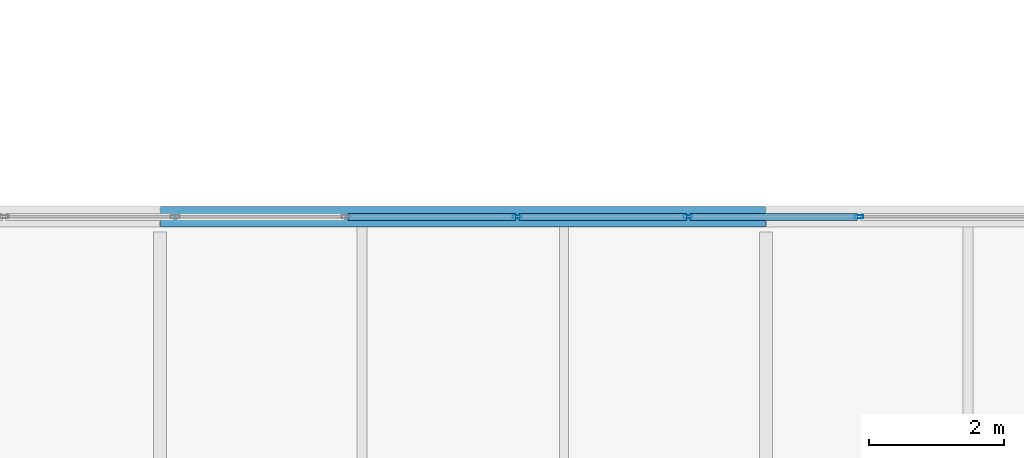
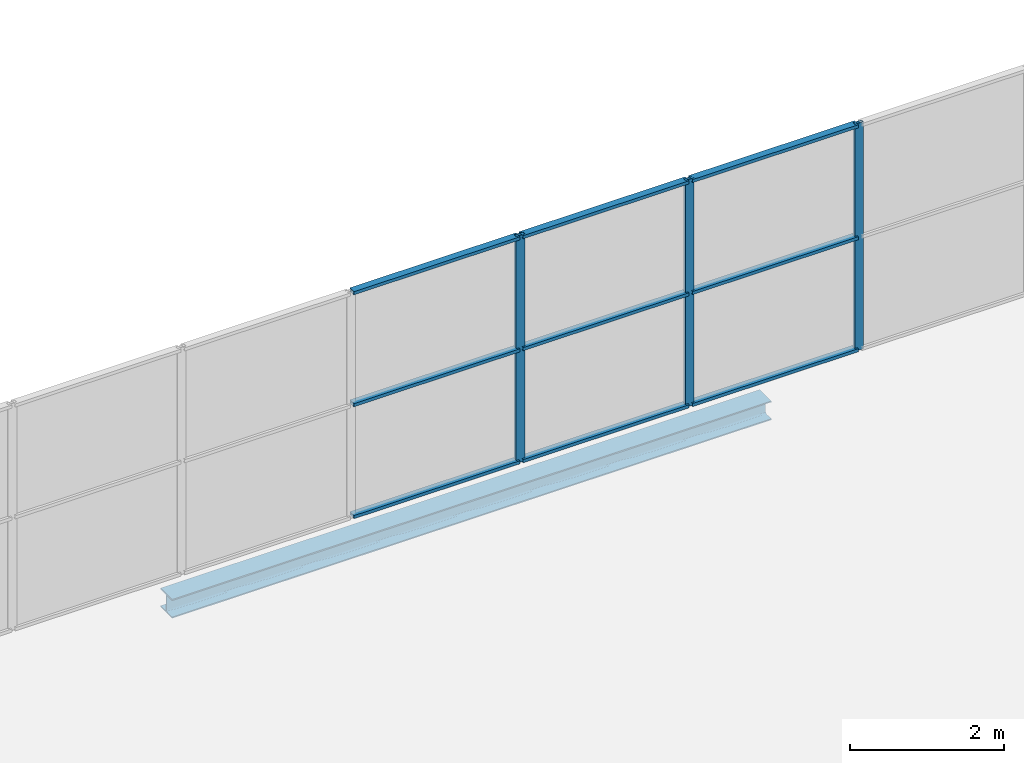
# One storey, part 46 of 59: 12 members, 1 beam, 1 element without a shape of its own.
"""IFC4 building model written with IfcOpenShell, lengths in metres."""

from ifc_helpers import new_model, si_unit, direction, frame, origin, origin_2d, place, context, subcontext, project, spatial, hollow_rectangle, i_section, extrude, material, layer, layer_set, material_profile, profile_set, type_object, element, aggregate, save


model = new_model("IFC4")

# Units and contexts
model_context = context("Model", 3, precision=1e-05, world=origin(), true_north=direction((0.0, 1.0)))
body_context = subcontext(model_context, "Body", "Model", "MODEL_VIEW")
ifc_project = project(units=[si_unit("LENGTHUNIT", "METRE"), si_unit("AREAUNIT", "SQUARE_METRE"), si_unit("VOLUMEUNIT", "CUBIC_METRE"), si_unit("PLANEANGLEUNIT", "RADIAN"), si_unit("MASSUNIT", "GRAM", prefix="KILO")], contexts=[model_context])

# Site, building, storey
site_placement = place(None, origin())
site = spatial("IfcSite", under=ifc_project, at=site_placement, CompositionType="ELEMENT")
building_placement = place(site_placement, origin())
building = spatial("IfcBuilding", under=site, at=building_placement, Name="Deido Ridge Mobility Hub", CompositionType="ELEMENT")
storey_placement = place(building_placement, frame((0.0, 0.0, 21.0)))
storey = spatial("IfcBuildingStorey", under=building, at=storey_placement, Name="L05", CompositionType="ELEMENT", Elevation=21.0)

# Curtain wall, members
ifc_material_1 = material(Name="Anodised aluminium EN AW-6063 T6", Category="aluminium")
ifc_layer = layer(ifc_material_1, 0.14404296875, Name="Anodised aluminium EN AW-6063 T6")
ifc_layer_set = layer_set([ifc_layer], Name="Anodised aluminium EN AW-6063 T6")
curtain_wall_type = type_object("IfcCurtainWallType", Name="CW-GS-2", PredefinedType="USERDEFINED", material=ifc_layer_set)
curtain_wall_placement = place(storey_placement, origin())
curtain_wall = element("IfcCurtainWall", 1, at=curtain_wall_placement, inside=storey, type_object=curtain_wall_type, Name="Unitised curtain wall GS2", ObjectType="GLAZED SCREEN", PredefinedType="USERDEFINED")
ifc_material_profile_1 = material_profile(ifc_material_1, hollow_rectangle(XDim=0.050048828125, YDim=0.1298828125, WallThickness=0.00390625, at=origin_2d()), Name="RHS 50x130x4")
ifc_profile_set_1 = profile_set([ifc_material_profile_1], Name="Anodised aluminium EN AW-6063 T6")
member_type_1 = type_object("IfcMemberType", Name="MEM-MUL-50X130", PredefinedType="MULLION", material=ifc_profile_set_1)
member_1_placement = place(storey_placement, frame((167.303466796875, 63.0, 0.0), z_axis=(0.0, 0.0, 1.0), x_axis=(0.0, 1.0, 0.0)))
member_1 = element("IfcMember", 2, at=member_1_placement, type_object=member_type_1, Name="GS2 mullion 10", PredefinedType="MULLION", context=body_context, shape_type="SweptSolid", body=[
    extrude(hollow_rectangle(XDim=0.050048828125, YDim=0.1298828125, WallThickness=0.00390625, at=origin_2d()), origin(), (0.0, 0.0, 1.0), 3.60009765625),
])
member_2_placement = place(storey_placement, frame((169.8427734375, 63.0, 0.0), z_axis=(0.0, 0.0, 1.0), x_axis=(0.0, 1.0, 0.0)))
member_2 = element("IfcMember", 3, at=member_2_placement, type_object=member_type_1, Name="GS2 mullion 11", PredefinedType="MULLION", context=body_context, shape_type="SweptSolid", body=[
    extrude(hollow_rectangle(XDim=0.050048828125, YDim=0.1298828125, WallThickness=0.00390625, at=origin_2d()), origin(), (0.0, 0.0, 1.0), 3.60009765625),
])
member_3_placement = place(storey_placement, frame((172.382080078125, 63.0, 0.0), z_axis=(0.0, 0.0, 1.0), x_axis=(0.0, 1.0, 0.0)))
member_3 = element("IfcMember", 4, at=member_3_placement, type_object=member_type_1, Name="GS2 mullion 12", PredefinedType="MULLION", context=body_context, shape_type="SweptSolid", body=[
    extrude(hollow_rectangle(XDim=0.050048828125, YDim=0.1298828125, WallThickness=0.00390625, at=origin_2d()), origin(), (0.0, 0.0, 1.0), 3.60009765625),
])
ifc_material_profile_2 = material_profile(ifc_material_1, hollow_rectangle(XDim=0.10498046875, YDim=0.050048828125, WallThickness=0.00390625, at=origin_2d()), Name="RHS 105x50x4")
ifc_profile_set_2 = profile_set([ifc_material_profile_2], Name="Anodised aluminium EN AW-6063 T6")
member_type_2 = type_object("IfcMemberType", Name="MEM-TRN-105X50", PredefinedType="USERDEFINED", material=ifc_profile_set_2)
member_4_placement = place(storey_placement, frame((164.789306640625, 63.0, 0.02490234375), z_axis=(1.0, 0.0, 0.0), x_axis=(0.0, 1.0, 0.0)))
member_4 = element("IfcMember", 5, at=member_4_placement, type_object=member_type_2, Name="GS2 transom 9.1", ObjectType="TRANSOM", PredefinedType="USERDEFINED", context=body_context, shape_type="SweptSolid", body=[
    extrude(hollow_rectangle(XDim=0.10498046875, YDim=0.050048828125, WallThickness=0.00390625, at=origin_2d()), origin(), (0.0, 0.0, 1.0), 2.4892578125),
])
member_5_placement = place(storey_placement, frame((164.789306640625, 63.0, 1.800048828125), z_axis=(1.0, 0.0, 0.0), x_axis=(0.0, 1.0, 0.0)))
member_5 = element("IfcMember", 6, at=member_5_placement, type_object=member_type_2, Name="GS2 transom 9.2", ObjectType="TRANSOM", PredefinedType="USERDEFINED", context=body_context, shape_type="SweptSolid", body=[
    extrude(hollow_rectangle(XDim=0.10498046875, YDim=0.050048828125, WallThickness=0.00390625, at=origin_2d()), origin(), (0.0, 0.0, 1.0), 2.4892578125),
])
member_6_placement = place(storey_placement, frame((164.789306640625, 63.0, 3.574951171875), z_axis=(1.0, 0.0, 0.0), x_axis=(0.0, 1.0, 0.0)))
member_6 = element("IfcMember", 7, at=member_6_placement, type_object=member_type_2, Name="GS2 transom 9.3", ObjectType="TRANSOM", PredefinedType="USERDEFINED", context=body_context, shape_type="SweptSolid", body=[
    extrude(hollow_rectangle(XDim=0.10498046875, YDim=0.050048828125, WallThickness=0.00390625, at=origin_2d()), origin(), (0.0, 0.0, 1.0), 2.4892578125),
])
member_7_placement = place(storey_placement, frame((167.32861328125, 63.0, 0.02490234375), z_axis=(1.0, 0.0, 0.0), x_axis=(0.0, 1.0, 0.0)))
member_7 = element("IfcMember", 8, at=member_7_placement, type_object=member_type_2, Name="GS2 transom 10.1", ObjectType="TRANSOM", PredefinedType="USERDEFINED", context=body_context, shape_type="SweptSolid", body=[
    extrude(hollow_rectangle(XDim=0.10498046875, YDim=0.050048828125, WallThickness=0.00390625, at=origin_2d()), origin(), (0.0, 0.0, 1.0), 2.4892578125),
])
member_8_placement = place(storey_placement, frame((167.32861328125, 63.0, 1.800048828125), z_axis=(1.0, 0.0, 0.0), x_axis=(0.0, 1.0, 0.0)))
member_8 = element("IfcMember", 9, at=member_8_placement, type_object=member_type_2, Name="GS2 transom 10.2", ObjectType="TRANSOM", PredefinedType="USERDEFINED", context=body_context, shape_type="SweptSolid", body=[
    extrude(hollow_rectangle(XDim=0.10498046875, YDim=0.050048828125, WallThickness=0.00390625, at=origin_2d()), origin(), (0.0, 0.0, 1.0), 2.4892578125),
])
member_9_placement = place(storey_placement, frame((167.32861328125, 63.0, 3.574951171875), z_axis=(1.0, 0.0, 0.0), x_axis=(0.0, 1.0, 0.0)))
member_9 = element("IfcMember", 10, at=member_9_placement, type_object=member_type_2, Name="GS2 transom 10.3", ObjectType="TRANSOM", PredefinedType="USERDEFINED", context=body_context, shape_type="SweptSolid", body=[
    extrude(hollow_rectangle(XDim=0.10498046875, YDim=0.050048828125, WallThickness=0.00390625, at=origin_2d()), origin(), (0.0, 0.0, 1.0), 2.4892578125),
])
member_10_placement = place(storey_placement, frame((169.867919921875, 63.0, 0.02490234375), z_axis=(1.0, 0.0, 0.0), x_axis=(0.0, 1.0, 0.0)))
member_10 = element("IfcMember", 11, at=member_10_placement, type_object=member_type_2, Name="GS2 transom 11.1", ObjectType="TRANSOM", PredefinedType="USERDEFINED", context=body_context, shape_type="SweptSolid", body=[
    extrude(hollow_rectangle(XDim=0.10498046875, YDim=0.050048828125, WallThickness=0.00390625, at=origin_2d()), origin(), (0.0, 0.0, 1.0), 2.4892578125),
])
member_11_placement = place(storey_placement, frame((169.867919921875, 63.0, 1.800048828125), z_axis=(1.0, 0.0, 0.0), x_axis=(0.0, 1.0, 0.0)))
member_11 = element("IfcMember", 12, at=member_11_placement, type_object=member_type_2, Name="GS2 transom 11.2", ObjectType="TRANSOM", PredefinedType="USERDEFINED", context=body_context, shape_type="SweptSolid", body=[
    extrude(hollow_rectangle(XDim=0.10498046875, YDim=0.050048828125, WallThickness=0.00390625, at=origin_2d()), origin(), (0.0, 0.0, 1.0), 2.4892578125),
])
member_12_placement = place(storey_placement, frame((169.867919921875, 63.0, 3.574951171875), z_axis=(1.0, 0.0, 0.0), x_axis=(0.0, 1.0, 0.0)))
member_12 = element("IfcMember", 13, at=member_12_placement, type_object=member_type_2, Name="GS2 transom 11.3", ObjectType="TRANSOM", PredefinedType="USERDEFINED", context=body_context, shape_type="SweptSolid", body=[
    extrude(hollow_rectangle(XDim=0.10498046875, YDim=0.050048828125, WallThickness=0.00390625, at=origin_2d()), origin(), (0.0, 0.0, 1.0), 2.4892578125),
])
aggregate(curtain_wall, [member_1, member_2, member_3, member_4, member_5, member_6, member_7, member_8, member_9, member_10, member_11, member_12])

# Beam
ifc_material_2 = material(Name="Steel S355J2 EN 10025-2", Category="steel")
ifc_material_profile_3 = material_profile(ifc_material_2, i_section(OverallWidth=0.300048828125, OverallDepth=0.300048828125, WebThickness=0.010986328125, FlangeThickness=0.01904296875, FilletRadius=0.027099609375, at=origin_2d()), Name="HEB 300")
ifc_profile_set_3 = profile_set([ifc_material_profile_3], Name="Steel S355J2 EN 10025-2")
beam_type = type_object("IfcBeamType", Name="SPD-HEB300", PredefinedType="SPANDREL", material=ifc_profile_set_3)
beam_placement = place(storey_placement, frame((162.007080078125, 63.0, -0.39501953125), z_axis=(1.0, 0.0, 0.0), x_axis=(0.0, 1.0, 0.0)))
element("IfcBeam", 14, at=beam_placement, inside=storey, type_object=beam_type, Name="Floor beam SP1", PredefinedType="SPANDREL", context=body_context, shape_type="SweptSolid", body=[
    extrude(i_section(OverallWidth=0.300048828125, OverallDepth=0.300048828125, WebThickness=0.010986328125, FlangeThickness=0.01904296875, FilletRadius=0.027099609375, at=origin_2d()), origin(), (0.0, 0.0, 1.0), 8.98583984375),
])

save(model, "model.ifc")
